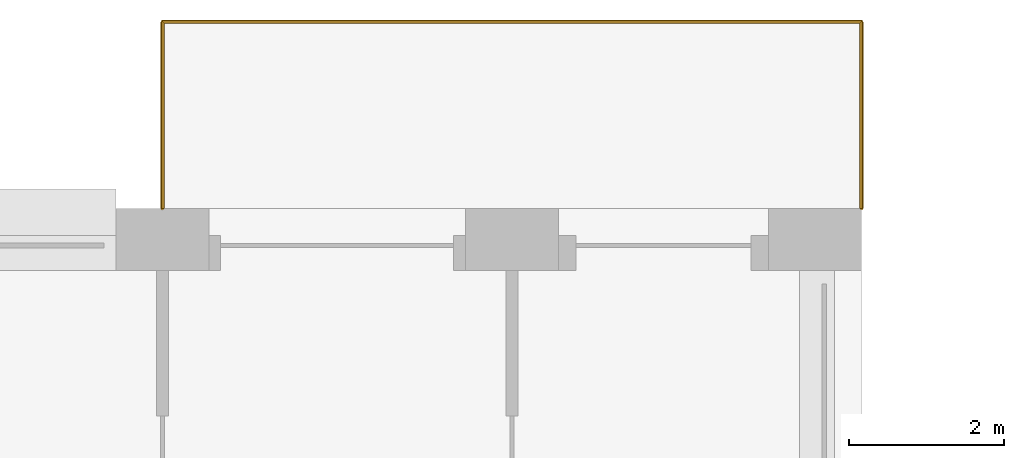
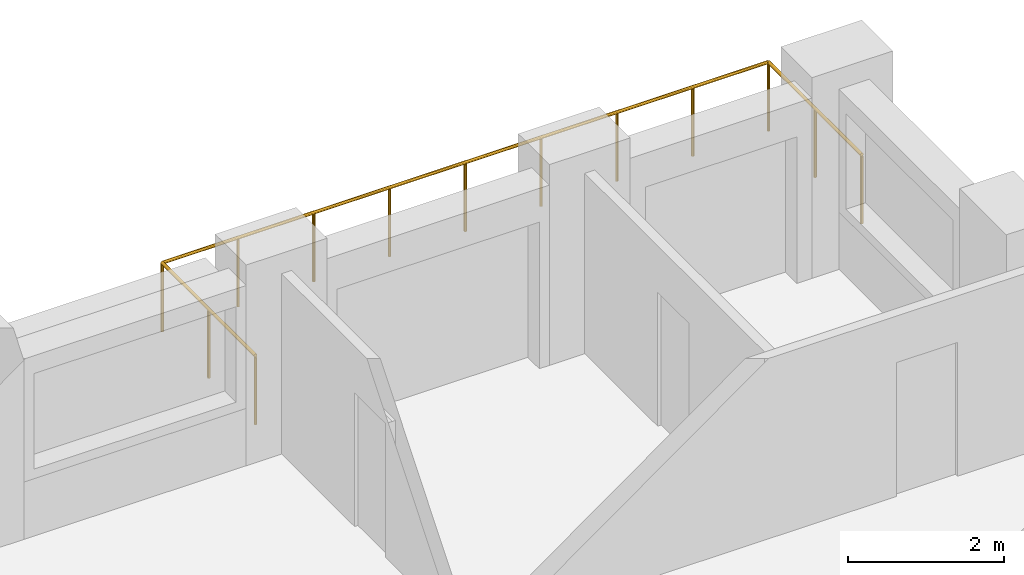
# One storey, part 20 of 20: 1 railing.
"""IFC4 building model written with IfcOpenShell, lengths in metres."""

from ifc_helpers import new_model, si_unit, direction, frame, origin, origin_2d, place, context, subcontext, project, spatial, circle, extrude, material, type_object, element, save


model = new_model("IFC4")

# Units and contexts
model_context = context("Model", 3, precision=1e-05, world=origin(), true_north=direction((0.0, 1.0)))
body_context = subcontext(model_context, "Body", "Model", "MODEL_VIEW")
ifc_project = project(units=[si_unit("LENGTHUNIT", "METRE"), si_unit("AREAUNIT", "SQUARE_METRE"), si_unit("VOLUMEUNIT", "CUBIC_METRE"), si_unit("PLANEANGLEUNIT", "RADIAN"), si_unit("MASSUNIT", "GRAM", prefix="KILO")], contexts=[model_context])

# Site, building, storey
site_placement = place(None, origin())
site = spatial("IfcSite", under=ifc_project, at=site_placement, CompositionType="ELEMENT")
building_placement = place(site_placement, origin())
building = spatial("IfcBuilding", under=site, at=building_placement, Name="Brigalow Station Residences", CompositionType="ELEMENT")
storey_placement = place(building_placement, frame((0.0, 0.0, 38.39990234375)))
storey = spatial("IfcBuildingStorey", under=building, at=storey_placement, Name="L10", CompositionType="ELEMENT", Elevation=38.39990234375)

# Railing
ifc_material = material(Name="Stainless steel balustrade with laminated glass infill", Category="steel")
railing_type = type_object("IfcRailingType", Name="BALCONY GUARD 1100", PredefinedType="GUARDRAIL", material=ifc_material)
railing_placement = place(storey_placement, frame((72.0, 48.5, -0.039794921875)))
element("IfcRailing", 1, at=railing_placement, inside=storey, type_object=railing_type, Name="L10/balcony-guard/2", PredefinedType="GUARDRAIL", context=body_context, shape_type="SweptSolid", body=[
    extrude(circle(Radius=0.02392578125, at=origin_2d()), frame((0.0, 0.0, 1.076171875), z_axis=(0.0, 1.0, 0.0), x_axis=(-1.0, 0.0, 0.0)), (0.0, 0.0, 1.0), 2.39990234375),
    extrude(circle(Radius=0.02392578125, at=origin_2d()), frame((0.0, 2.39990234375, 1.076171875), z_axis=(-1.0, 0.0, 0.0), x_axis=(0.0, -1.0, 0.0)), (0.0, 0.0, 1.0), 9.0),
    extrude(circle(Radius=0.02392578125, at=origin_2d()), frame((-9.0, 2.39990234375, 1.076171875), z_axis=(0.0, -1.0, 0.0), x_axis=(1.0, 0.0, 0.0)), (0.0, 0.0, 1.0), 2.39990234375),
    extrude(circle(Radius=0.02099609375, at=origin_2d()), origin(), (0.0, 0.0, 1.0), 1.052001953125),
    extrude(circle(Radius=0.02099609375, at=origin_2d()), frame((0.0, 1.199951171875, 0.0)), (0.0, 0.0, 1.0), 1.052001953125),
    extrude(circle(Radius=0.02099609375, at=origin_2d()), frame((0.0, 2.39990234375, 0.0)), (0.0, 0.0, 1.0), 1.052001953125),
    extrude(circle(Radius=0.02099609375, at=origin_2d()), frame((-1.125, 2.39990234375, 0.0)), (0.0, 0.0, 1.0), 1.052001953125),
    extrude(circle(Radius=0.02099609375, at=origin_2d()), frame((-2.25, 2.39990234375, 0.0)), (0.0, 0.0, 1.0), 1.052001953125),
    extrude(circle(Radius=0.02099609375, at=origin_2d()), frame((-3.375, 2.39990234375, 0.0)), (0.0, 0.0, 1.0), 1.052001953125),
    extrude(circle(Radius=0.02099609375, at=origin_2d()), frame((-4.5, 2.39990234375, 0.0)), (0.0, 0.0, 1.0), 1.052001953125),
    extrude(circle(Radius=0.02099609375, at=origin_2d()), frame((-5.625, 2.39990234375, 0.0)), (0.0, 0.0, 1.0), 1.052001953125),
    extrude(circle(Radius=0.02099609375, at=origin_2d()), frame((-6.75, 2.39990234375, 0.0)), (0.0, 0.0, 1.0), 1.052001953125),
    extrude(circle(Radius=0.02099609375, at=origin_2d()), frame((-7.875, 2.39990234375, 0.0)), (0.0, 0.0, 1.0), 1.052001953125),
    extrude(circle(Radius=0.02099609375, at=origin_2d()), frame((-9.0, 2.39990234375, 0.0)), (0.0, 0.0, 1.0), 1.052001953125),
    extrude(circle(Radius=0.02099609375, at=origin_2d()), frame((-9.0, 1.199951171875, 0.0)), (0.0, 0.0, 1.0), 1.052001953125),
    extrude(circle(Radius=0.02099609375, at=origin_2d()), frame((-9.0, 0.0, 0.0)), (0.0, 0.0, 1.0), 1.052001953125),
])

save(model, "model.ifc")
